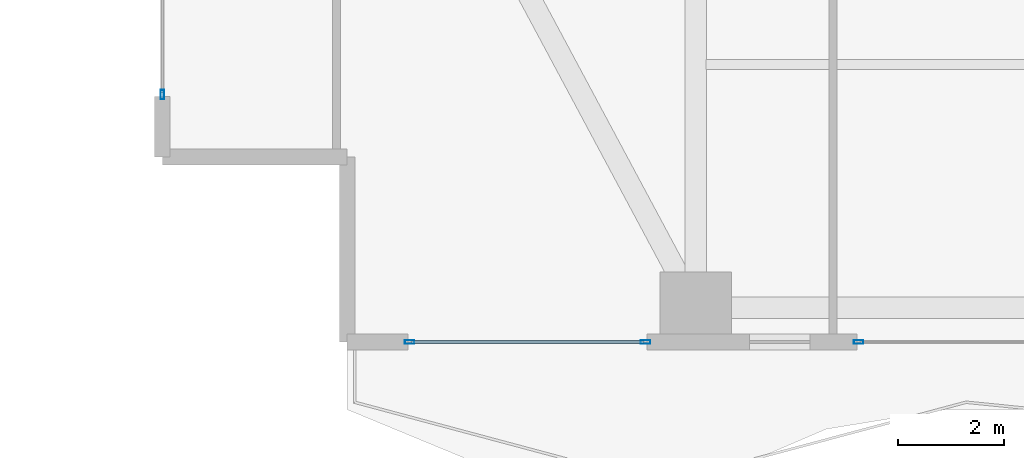
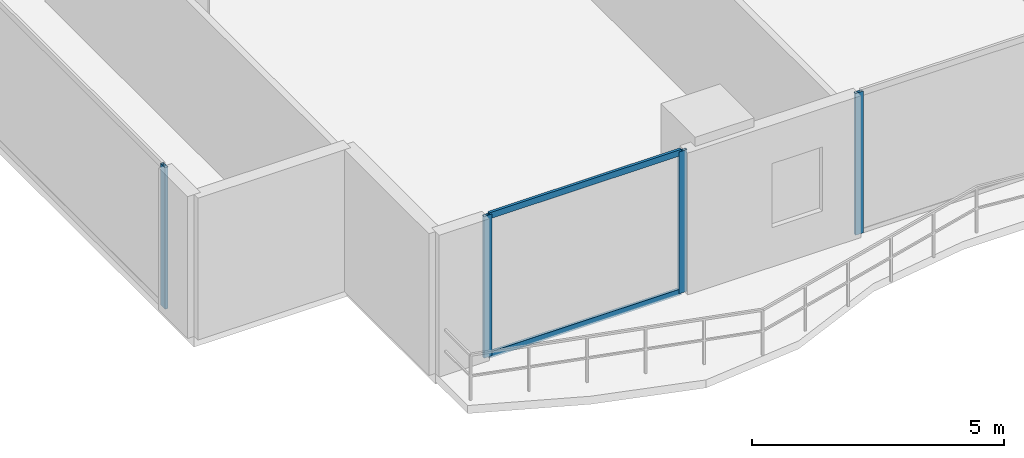
# One storey, part 2 of 29: 6 members, 3 elements without a shape of their own.
"""IFC4 building model written with IfcOpenShell, lengths in metres."""

from ifc_helpers import new_model, si_unit, direction, frame, origin, origin_2d, place, context, subcontext, project, spatial, hollow_rectangle, extrude, material, layer, layer_set, material_profile, profile_set, type_object, element, aggregate, save


model = new_model("IFC4")

# Units and contexts
model_context = context("Model", 3, precision=1e-05, world=origin(), true_north=direction((0.0, 1.0)))
body_context = subcontext(model_context, "Body", "Model", "MODEL_VIEW")
ifc_project = project(units=[si_unit("LENGTHUNIT", "METRE"), si_unit("AREAUNIT", "SQUARE_METRE"), si_unit("VOLUMEUNIT", "CUBIC_METRE"), si_unit("PLANEANGLEUNIT", "RADIAN"), si_unit("MASSUNIT", "GRAM", prefix="KILO")], contexts=[model_context])

# Site, building, storey
site_placement = place(None, origin())
site = spatial("IfcSite", under=ifc_project, at=site_placement, CompositionType="ELEMENT")
building_placement = place(site_placement, origin())
building = spatial("IfcBuilding", under=site, at=building_placement, Name="Zuhayl Quay Hotel", CompositionType="ELEMENT")
storey_placement = place(building_placement, frame((0.0, 0.0, 95.64990234375)))
storey = spatial("IfcBuildingStorey", under=building, at=storey_placement, Name="L23", CompositionType="ELEMENT", Elevation=95.64990234375)

# Curtain wall, member
ifc_material_1 = material(Name="Anodised Aluminium 6063-T6", Category="aluminium")
ifc_layer = layer(ifc_material_1, 0.179931640625, Name="Anodised Aluminium 6063-T6", Category="aluminium")
ifc_layer_set = layer_set([ifc_layer], Name="Anodised Aluminium 6063-T6")
curtain_wall_type = type_object("IfcCurtainWallType", Name="CW_SYS_Z2", PredefinedType="USERDEFINED", material=ifc_layer_set)
curtain_wall_1_placement = place(storey_placement, origin())
curtain_wall_1 = element("IfcCurtainWall", 1, at=curtain_wall_1_placement, inside=storey, type_object=curtain_wall_type, Name="L23 Curtain Wall ENV_L23_E02_CW1", ObjectType="UNITISED CURTAIN WALL", PredefinedType="USERDEFINED")
ifc_material_2 = material(Name="Black-anodised aluminium 6063-T6", Category="aluminium")
ifc_material_profile_1 = material_profile(ifc_material_2, hollow_rectangle(XDim=0.06494140625, YDim=0.179931640625, WallThickness=0.00341796875, at=origin_2d()), Name="ALU180X65")
ifc_profile_set_1 = profile_set([ifc_material_profile_1], Name="Black-anodised aluminium 6063-T6")
member_type_1 = type_object("IfcMemberType", Name="MB_CW_MUL_180", PredefinedType="MULLION", material=ifc_profile_set_1)
member_1_placement = place(storey_placement, frame((-23.89990234375, -10.717529296875, 0.0), z_axis=(0.0, 0.0, 1.0), x_axis=(-1.0, 0.0, 0.0)))
member_1 = element("IfcMember", 2, at=member_1_placement, type_object=member_type_1, Name="CW-Z2 mullion 1", PredefinedType="MULLION", context=body_context, shape_type="SweptSolid", body=[
    extrude(hollow_rectangle(XDim=0.06494140625, YDim=0.179931640625, WallThickness=0.00341796875, at=origin_2d()), origin(), (0.0, 0.0, 1.0), 3.43017578125),
])
aggregate(curtain_wall_1, [member_1])

curtain_wall_2_placement = place(storey_placement, origin())
curtain_wall_2 = element("IfcCurtainWall", 3, at=curtain_wall_2_placement, inside=storey, type_object=curtain_wall_type, Name="L23 Curtain Wall ENV_L23_S_CW5", ObjectType="UNITISED CURTAIN WALL", PredefinedType="USERDEFINED")
member_2_placement = place(storey_placement, frame((-10.717529296875, -15.39990234375, 0.0), z_axis=(0.0, 0.0, 1.0), x_axis=(0.0, -1.0, 0.0)))
member_2 = element("IfcMember", 4, at=member_2_placement, type_object=member_type_1, Name="CW-Z2 mullion 2", PredefinedType="MULLION", context=body_context, shape_type="SweptSolid", body=[
    extrude(hollow_rectangle(XDim=0.06494140625, YDim=0.179931640625, WallThickness=0.00341796875, at=origin_2d()), origin(), (0.0, 0.0, 1.0), 3.43017578125),
])
aggregate(curtain_wall_2, [member_2])

# Curtain wall, members
curtain_wall_3_placement = place(storey_placement, origin())
curtain_wall_3 = element("IfcCurtainWall", 5, at=curtain_wall_3_placement, inside=storey, type_object=curtain_wall_type, Name="L23 Curtain Wall ENV_L23_S_CW6", ObjectType="UNITISED CURTAIN WALL", PredefinedType="USERDEFINED")
member_3_placement = place(storey_placement, frame((-14.75244140625, -15.39990234375, 0.0), z_axis=(0.0, 0.0, 1.0), x_axis=(0.0, -1.0, 0.0)))
member_3 = element("IfcMember", 6, at=member_3_placement, type_object=member_type_1, Name="CW-Z2 mullion 1", PredefinedType="MULLION", context=body_context, shape_type="SweptSolid", body=[
    extrude(hollow_rectangle(XDim=0.06494140625, YDim=0.179931640625, WallThickness=0.00341796875, at=origin_2d()), origin(), (0.0, 0.0, 1.0), 3.43017578125),
])
member_4_placement = place(storey_placement, frame((-19.217529296875, -15.39990234375, 0.0), z_axis=(0.0, 0.0, 1.0), x_axis=(0.0, -1.0, 0.0)))
member_4 = element("IfcMember", 7, at=member_4_placement, type_object=member_type_1, Name="CW-Z2 mullion 2", PredefinedType="MULLION", context=body_context, shape_type="SweptSolid", body=[
    extrude(hollow_rectangle(XDim=0.06494140625, YDim=0.179931640625, WallThickness=0.00341796875, at=origin_2d()), origin(), (0.0, 0.0, 1.0), 3.43017578125),
])
ifc_material_profile_2 = material_profile(ifc_material_2, hollow_rectangle(XDim=0.06005859375, YDim=0.14990234375, WallThickness=0.00341796875, at=origin_2d()), Name="ALU150X60")
ifc_profile_set_2 = profile_set([ifc_material_profile_2], Name="Black-anodised aluminium 6063-T6")
member_type_2 = type_object("IfcMemberType", Name="MB_CW_TRN_150", PredefinedType="USERDEFINED", material=ifc_profile_set_2)
member_5_placement = place(storey_placement, frame((-14.784912109375, -15.39990234375, 0.030029296875), z_axis=(-1.0, 0.0, 0.0), x_axis=(0.0, -1.0, 0.0)))
member_5 = element("IfcMember", 8, at=member_5_placement, type_object=member_type_2, Name="CW-Z2 transom 1.1", ObjectType="TRANSOM", PredefinedType="USERDEFINED", context=body_context, shape_type="SweptSolid", body=[
    extrude(hollow_rectangle(XDim=0.06005859375, YDim=0.14990234375, WallThickness=0.00341796875, at=origin_2d()), origin(), (0.0, 0.0, 1.0), 4.400146484375),
])
member_6_placement = place(storey_placement, frame((-14.784912109375, -15.39990234375, 3.400146484375), z_axis=(-1.0, 0.0, 0.0), x_axis=(0.0, -1.0, 0.0)))
member_6 = element("IfcMember", 9, at=member_6_placement, type_object=member_type_2, Name="CW-Z2 transom 1.2", ObjectType="TRANSOM", PredefinedType="USERDEFINED", context=body_context, shape_type="SweptSolid", body=[
    extrude(hollow_rectangle(XDim=0.06005859375, YDim=0.14990234375, WallThickness=0.00341796875, at=origin_2d()), origin(), (0.0, 0.0, 1.0), 4.400146484375),
])
aggregate(curtain_wall_3, [member_3, member_4, member_5, member_6])

save(model, "model.ifc")
